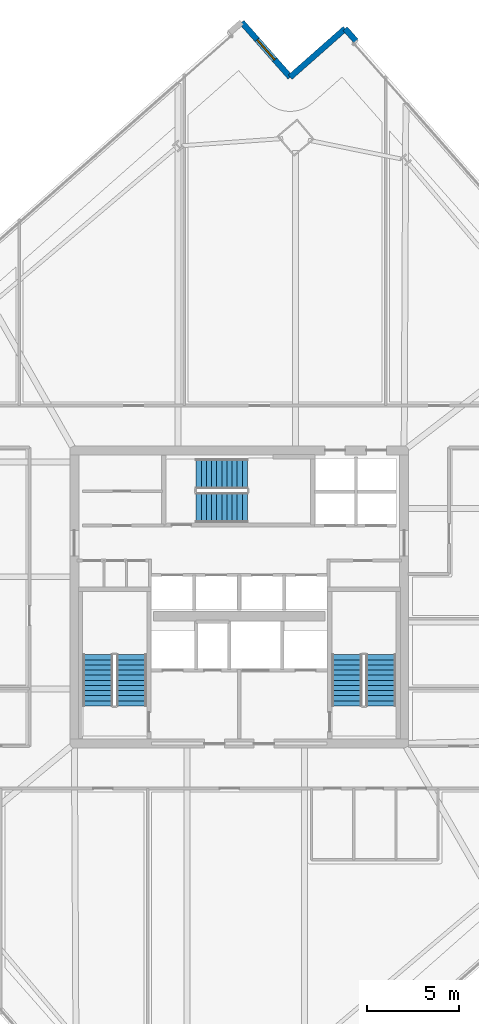
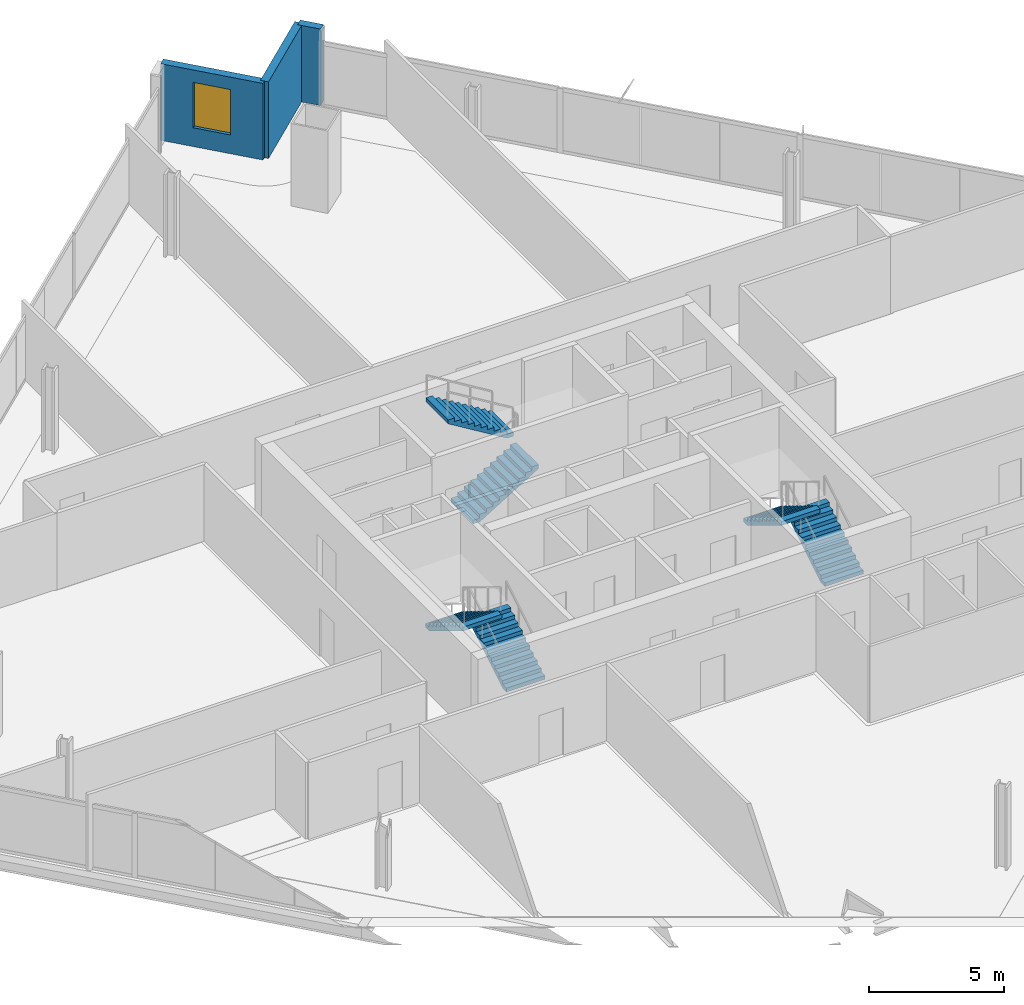
# One storey, part 29 of 34: 6 stair flights, 3 walls, 1 window, 1 opening, 3 elements without a shape of their own.
"""IFC4 building model written with IfcOpenShell, lengths in metres."""

from ifc_helpers import new_model, si_unit, direction, frame, frame_2d, origin, place, context, subcontext, project, spatial, polyline, rectangle, outline, extrude, material, layer, layer_set, type_object, element, fill, aggregate, save


model = new_model("IFC4")

# Units and contexts
model_context = context("Model", 3, precision=1e-05, world=origin(), true_north=direction((0.0, 1.0)))
body_context = subcontext(model_context, "Body", "Model", "MODEL_VIEW")
ifc_project = project(units=[si_unit("LENGTHUNIT", "METRE"), si_unit("AREAUNIT", "SQUARE_METRE"), si_unit("VOLUMEUNIT", "CUBIC_METRE"), si_unit("PLANEANGLEUNIT", "RADIAN"), si_unit("MASSUNIT", "GRAM", prefix="KILO")], contexts=[model_context])

# Site, building, storey
site_placement = place(None, origin())
site = spatial("IfcSite", under=ifc_project, at=site_placement, CompositionType="ELEMENT")
building_placement = place(site_placement, origin())
building = spatial("IfcBuilding", under=site, at=building_placement, Name="Haldenkirk Collegiate Tower", CompositionType="ELEMENT")
storey_placement = place(building_placement, frame((0.0, 0.0, 166.949951171875)))
storey = spatial("IfcBuildingStorey", under=building, at=storey_placement, Name="L41", CompositionType="ELEMENT", Elevation=166.949951171875)

# Walls
ifc_material_1 = material(Name="Precast concrete f'c 40 MPa", Category="concrete")
ifc_layer_1 = layer(ifc_material_1, 0.320068359375)
ifc_layer_set_1 = layer_set([ifc_layer_1], Name="Precast concrete f'c 40 MPa")
wall_type = type_object("IfcWallType", Name="WL-EXT-TWR-320", PredefinedType="STANDARD", material=ifc_layer_set_1)
wall_1_placement = place(storey_placement, frame((41.777587890625, 57.023193359375, 0.0), z_axis=(0.0, 0.0, 1.0), x_axis=(0.661361408246, -0.750067388761, 0.0)))
element("IfcWall", 1, at=wall_1_placement, inside=storey, type_object=wall_type, Name="L41 precast corner pier EL", PredefinedType="STANDARD", context=body_context, shape_type="SweptSolid", body=[
    extrude(rectangle(XDim=0.89990234375, YDim=0.320068359375, at=frame_2d((0.449951171875, 0.0))), origin(), (0.0, 0.0, 1.0), 3.4599609375),
])
wall_2_placement = place(storey_placement, frame((38.77734375, 54.3779296875, 0.0), z_axis=(0.0, 0.0, 1.0), x_axis=(0.750087176218, 0.661338966093, 0.0)))
element("IfcWall", 2, at=wall_2_placement, inside=storey, type_object=wall_type, Name="L41 bronze precast notch wall 05", PredefinedType="STANDARD", context=body_context, shape_type="SweptSolid", body=[
    extrude(rectangle(XDim=3.999755859375, YDim=0.320068359375, at=frame_2d((2.0, 0.0))), origin(), (0.0, 0.0, 1.0), 3.4599609375),
])

# Wall, opening, window
wall_3_placement = place(storey_placement, frame((36.132080078125, 57.37841796875, 0.0), z_axis=(0.0, 0.0, 1.0), x_axis=(0.661308688671, -0.750113870214, 0.0)))
wall_3 = element("IfcWall", 3, at=wall_3_placement, inside=storey, type_object=wall_type, Name="L41 bronze precast notch wall 06", PredefinedType="STANDARD", context=body_context, shape_type="SweptSolid", body=[
    extrude(rectangle(XDim=4.0, YDim=0.320068359375, at=frame_2d((2.0, 0.0))), origin(), (0.0, 0.0, 1.0), 3.4599609375),
])
opening_placement = place(wall_3_placement, frame((1.27490234375, 0.0, 0.85009765625)))
opening = element("IfcOpeningElement", 4, at=opening_placement, cuts=wall_3, Name="Opening W-05", PredefinedType="OPENING", context=body_context, shape_type="SweptSolid", body=[
    extrude(rectangle(XDim=1.449951171875, YDim=2.050048828125, at=frame_2d((0.72509765625, 1.02490234375))), frame((0.0, 0.169921875, 0.0), z_axis=(0.0, -1.0, 0.0), x_axis=(1.0, 0.0, 0.0)), (0.0, 0.0, 1.0), 0.340087890625),
])
ifc_material_2 = material(Name="Low-E argon triple insulating glass", Category="glass")
ifc_layer_2 = layer(ifc_material_2, 0.090087890625)
ifc_layer_set_2 = layer_set([ifc_layer_2], Name="Low-E argon triple insulating glass")
window_type = type_object("IfcWindowType", Name="WN-Z3-1450X2050", PartitioningType="SINGLE_PANEL", PredefinedType="WINDOW", material=ifc_layer_set_2)
window_placement = place(opening_placement, origin())
window = element("IfcWindow", 5, at=window_placement, inside=storey, type_object=window_type, Name="L41 precast-frame academic window 5", OverallHeight=2.050048828125, OverallWidth=1.449951171875, PartitioningType="SINGLE_PANEL", PredefinedType="WINDOW", context=body_context, shape_type="SweptSolid", body=[
    extrude(rectangle(XDim=1.449951171875, YDim=2.050048828125, at=frame_2d((0.72509765625, 1.02490234375))), frame((0.0, 0.030029296875, 0.0), z_axis=(0.0, -1.0, 0.0), x_axis=(1.0, 0.0, 0.0)), (0.0, 0.0, 1.0), 0.06005859375),
])
fill(opening, window)

# Stair, stair flights
ifc_material_3 = material(Name="Concrete f'c 40 MPa", Category="concrete")
stair_type = type_object("IfcStairType", Name="STR-DOGLEG-1650", PredefinedType="HALF_TURN_STAIR", material=ifc_material_3)
stair_1_placement = place(storey_placement, origin())
stair_1 = element("IfcStair", 6, at=stair_1_placement, inside=storey, type_object=stair_type, Name="L41 Core Exit Stair ST-1", PredefinedType="HALF_TURN_STAIR")
stair_flight_type = type_object("IfcStairFlightType", Name="STF-FLIGHT-1650", PredefinedType="STRAIGHT", material=ifc_material_3)
stair_flight_1_placement = place(storey_placement, frame((30.125, 20.050048828125, 0.0), z_axis=(0.0, 0.0, 1.0), x_axis=(0.0, 1.0, 0.0)))
stair_flight_1 = element("IfcStairFlight", 7, at=stair_flight_1_placement, type_object=stair_flight_type, Name="ST-1 flight 1", NumberOfRisers=11, NumberOfTreads=10, PredefinedType="STRAIGHT", RiserHeight=0.170454545, TreadLength=0.28, context=body_context, shape_type="SweptSolid", body=[
    extrude(outline(polyline([(0.0, 0.0), (0.0, 0.17041015625), (0.280029296875, 0.17041015625), (0.280029296875, 0.3408203125), (0.56005859375, 0.3408203125), (0.56005859375, 0.511474609375), (0.840087890625, 0.511474609375), (0.840087890625, 0.681884765625), (1.1201171875, 0.681884765625), (1.1201171875, 0.852294921875), (1.39990234375, 0.852294921875), (1.39990234375, 1.022705078125), (1.679931640625, 1.022705078125), (1.679931640625, 1.193115234375), (1.9599609375, 1.193115234375), (1.9599609375, 1.363525390625), (2.239990234375, 1.363525390625), (2.239990234375, 1.5341796875), (2.52001953125, 1.5341796875), (2.52001953125, 1.70458984375), (2.800048828125, 1.70458984375), (2.800048828125, 1.875), (2.800048828125, 1.529052734375), (0.288330078125, 0.0), (0.0, 0.0)])), frame((0.0, 0.824951171875, 0.0), z_axis=(0.0, -1.0, 0.0), x_axis=(1.0, 0.0, 0.0)), (0.0, 0.0, 1.0), 1.64990234375),
])
stair_flight_2_placement = place(storey_placement, frame((28.27490234375, 22.85009765625, 1.875), z_axis=(0.0, 0.0, 1.0), x_axis=(0.0, -1.0, 0.0)))
stair_flight_2 = element("IfcStairFlight", 8, at=stair_flight_2_placement, type_object=stair_flight_type, Name="ST-1 flight 2", NumberOfRisers=11, NumberOfTreads=10, PredefinedType="STRAIGHT", RiserHeight=0.170454545, TreadLength=0.28, context=body_context, shape_type="SweptSolid", body=[
    extrude(outline(polyline([(0.0, 0.0), (0.0, 0.17041015625), (0.280029296875, 0.17041015625), (0.280029296875, 0.3408203125), (0.56005859375, 0.3408203125), (0.56005859375, 0.511474609375), (0.840087890625, 0.511474609375), (0.840087890625, 0.681884765625), (1.1201171875, 0.681884765625), (1.1201171875, 0.852294921875), (1.39990234375, 0.852294921875), (1.39990234375, 1.022705078125), (1.679931640625, 1.022705078125), (1.679931640625, 1.193115234375), (1.9599609375, 1.193115234375), (1.9599609375, 1.363525390625), (2.239990234375, 1.363525390625), (2.239990234375, 1.5341796875), (2.52001953125, 1.5341796875), (2.52001953125, 1.70458984375), (2.800048828125, 1.70458984375), (2.800048828125, 1.875), (2.800048828125, 1.529052734375), (0.288330078125, 0.0), (0.0, 0.0)])), frame((0.0, 0.824951171875, 0.0), z_axis=(0.0, -1.0, 0.0), x_axis=(1.0, 0.0, 0.0)), (0.0, 0.0, 1.0), 1.64990234375),
])
aggregate(stair_1, [stair_flight_1, stair_flight_2])

stair_2_placement = place(storey_placement, origin())
stair_2 = element("IfcStair", 9, at=stair_2_placement, inside=storey, type_object=stair_type, Name="L41 Core Exit Stair ST-2", PredefinedType="HALF_TURN_STAIR")
stair_flight_3_placement = place(storey_placement, frame((43.72509765625, 20.050048828125, 0.0), z_axis=(0.0, 0.0, 1.0), x_axis=(0.0, 1.0, 0.0)))
stair_flight_3 = element("IfcStairFlight", 10, at=stair_flight_3_placement, type_object=stair_flight_type, Name="ST-2 flight 1", NumberOfRisers=11, NumberOfTreads=10, PredefinedType="STRAIGHT", RiserHeight=0.170454545, TreadLength=0.28, context=body_context, shape_type="SweptSolid", body=[
    extrude(outline(polyline([(0.0, 0.0), (0.0, 0.17041015625), (0.280029296875, 0.17041015625), (0.280029296875, 0.3408203125), (0.56005859375, 0.3408203125), (0.56005859375, 0.511474609375), (0.840087890625, 0.511474609375), (0.840087890625, 0.681884765625), (1.1201171875, 0.681884765625), (1.1201171875, 0.852294921875), (1.39990234375, 0.852294921875), (1.39990234375, 1.022705078125), (1.679931640625, 1.022705078125), (1.679931640625, 1.193115234375), (1.9599609375, 1.193115234375), (1.9599609375, 1.363525390625), (2.239990234375, 1.363525390625), (2.239990234375, 1.5341796875), (2.52001953125, 1.5341796875), (2.52001953125, 1.70458984375), (2.800048828125, 1.70458984375), (2.800048828125, 1.875), (2.800048828125, 1.529052734375), (0.288330078125, 0.0), (0.0, 0.0)])), frame((0.0, 0.824951171875, 0.0), z_axis=(0.0, -1.0, 0.0), x_axis=(1.0, 0.0, 0.0)), (0.0, 0.0, 1.0), 1.64990234375),
])
stair_flight_4_placement = place(storey_placement, frame((41.875, 22.85009765625, 1.875), z_axis=(0.0, 0.0, 1.0), x_axis=(0.0, -1.0, 0.0)))
stair_flight_4 = element("IfcStairFlight", 11, at=stair_flight_4_placement, type_object=stair_flight_type, Name="ST-2 flight 2", NumberOfRisers=11, NumberOfTreads=10, PredefinedType="STRAIGHT", RiserHeight=0.170454545, TreadLength=0.28, context=body_context, shape_type="SweptSolid", body=[
    extrude(outline(polyline([(0.0, 0.0), (0.0, 0.17041015625), (0.280029296875, 0.17041015625), (0.280029296875, 0.3408203125), (0.56005859375, 0.3408203125), (0.56005859375, 0.511474609375), (0.840087890625, 0.511474609375), (0.840087890625, 0.681884765625), (1.1201171875, 0.681884765625), (1.1201171875, 0.852294921875), (1.39990234375, 0.852294921875), (1.39990234375, 1.022705078125), (1.679931640625, 1.022705078125), (1.679931640625, 1.193115234375), (1.9599609375, 1.193115234375), (1.9599609375, 1.363525390625), (2.239990234375, 1.363525390625), (2.239990234375, 1.5341796875), (2.52001953125, 1.5341796875), (2.52001953125, 1.70458984375), (2.800048828125, 1.70458984375), (2.800048828125, 1.875), (2.800048828125, 1.529052734375), (0.288330078125, 0.0), (0.0, 0.0)])), frame((0.0, 0.824951171875, 0.0), z_axis=(0.0, -1.0, 0.0), x_axis=(1.0, 0.0, 0.0)), (0.0, 0.0, 1.0), 1.64990234375),
])
aggregate(stair_2, [stair_flight_3, stair_flight_4])

stair_3_placement = place(storey_placement, origin())
stair_3 = element("IfcStair", 12, at=stair_3_placement, inside=storey, type_object=stair_type, Name="L41 Core Exit Stair ST-3", PredefinedType="HALF_TURN_STAIR")
stair_flight_5_placement = place(storey_placement, frame((33.64990234375, 30.875, 0.0), z_axis=(0.0, 0.0, 1.0), x_axis=(1.0, 0.0, 0.0)))
stair_flight_5 = element("IfcStairFlight", 13, at=stair_flight_5_placement, type_object=stair_flight_type, Name="ST-3 flight 1", NumberOfRisers=11, NumberOfTreads=10, PredefinedType="STRAIGHT", RiserHeight=0.170454545, TreadLength=0.28, context=body_context, shape_type="SweptSolid", body=[
    extrude(outline(polyline([(0.0, 0.0), (0.0, 0.17041015625), (0.280029296875, 0.17041015625), (0.280029296875, 0.3408203125), (0.56005859375, 0.3408203125), (0.56005859375, 0.511474609375), (0.840087890625, 0.511474609375), (0.840087890625, 0.681884765625), (1.1201171875, 0.681884765625), (1.1201171875, 0.852294921875), (1.39990234375, 0.852294921875), (1.39990234375, 1.022705078125), (1.679931640625, 1.022705078125), (1.679931640625, 1.193115234375), (1.9599609375, 1.193115234375), (1.9599609375, 1.363525390625), (2.239990234375, 1.363525390625), (2.239990234375, 1.5341796875), (2.52001953125, 1.5341796875), (2.52001953125, 1.70458984375), (2.800048828125, 1.70458984375), (2.800048828125, 1.875), (2.800048828125, 1.529052734375), (0.288330078125, 0.0), (0.0, 0.0)])), frame((0.0, 0.824951171875, 0.0), z_axis=(0.0, -1.0, 0.0), x_axis=(1.0, 0.0, 0.0)), (0.0, 0.0, 1.0), 1.64990234375),
])
stair_flight_6_placement = place(storey_placement, frame((36.449951171875, 32.72509765625, 1.875), z_axis=(0.0, 0.0, 1.0), x_axis=(-1.0, 0.0, 0.0)))
stair_flight_6 = element("IfcStairFlight", 14, at=stair_flight_6_placement, type_object=stair_flight_type, Name="ST-3 flight 2", NumberOfRisers=11, NumberOfTreads=10, PredefinedType="STRAIGHT", RiserHeight=0.170454545, TreadLength=0.28, context=body_context, shape_type="SweptSolid", body=[
    extrude(outline(polyline([(0.0, 0.0), (0.0, 0.17041015625), (0.280029296875, 0.17041015625), (0.280029296875, 0.3408203125), (0.56005859375, 0.3408203125), (0.56005859375, 0.511474609375), (0.840087890625, 0.511474609375), (0.840087890625, 0.681884765625), (1.1201171875, 0.681884765625), (1.1201171875, 0.852294921875), (1.39990234375, 0.852294921875), (1.39990234375, 1.022705078125), (1.679931640625, 1.022705078125), (1.679931640625, 1.193115234375), (1.9599609375, 1.193115234375), (1.9599609375, 1.363525390625), (2.239990234375, 1.363525390625), (2.239990234375, 1.5341796875), (2.52001953125, 1.5341796875), (2.52001953125, 1.70458984375), (2.800048828125, 1.70458984375), (2.800048828125, 1.875), (2.800048828125, 1.529052734375), (0.288330078125, 0.0), (0.0, 0.0)])), frame((0.0, 0.824951171875, 0.0), z_axis=(0.0, -1.0, 0.0), x_axis=(1.0, 0.0, 0.0)), (0.0, 0.0, 1.0), 1.64990234375),
])
aggregate(stair_3, [stair_flight_5, stair_flight_6])

save(model, "model.ifc")
